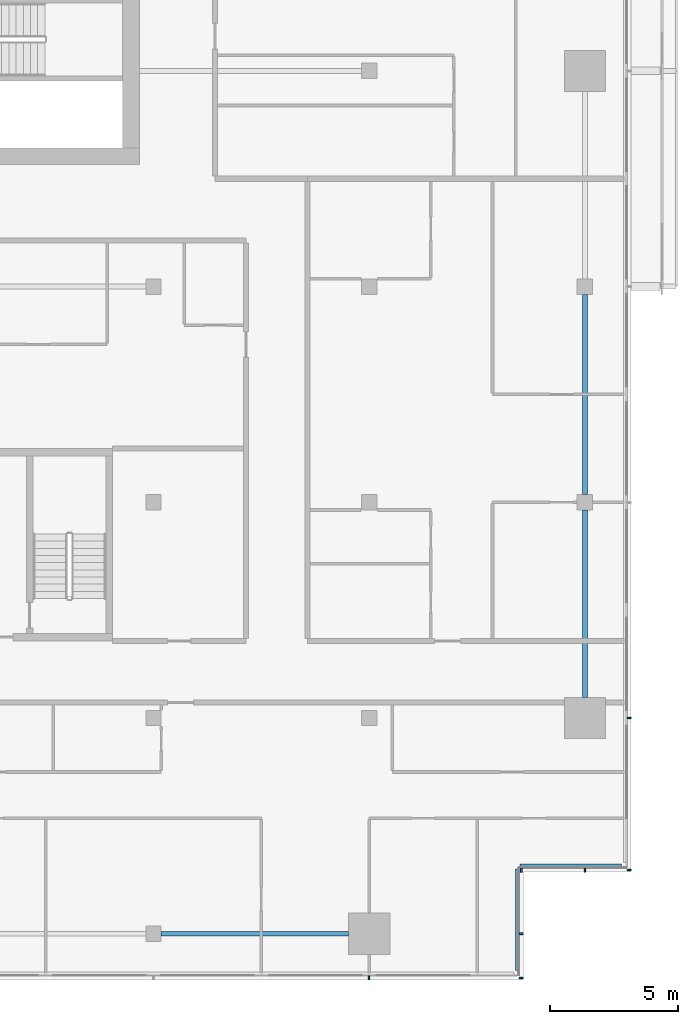
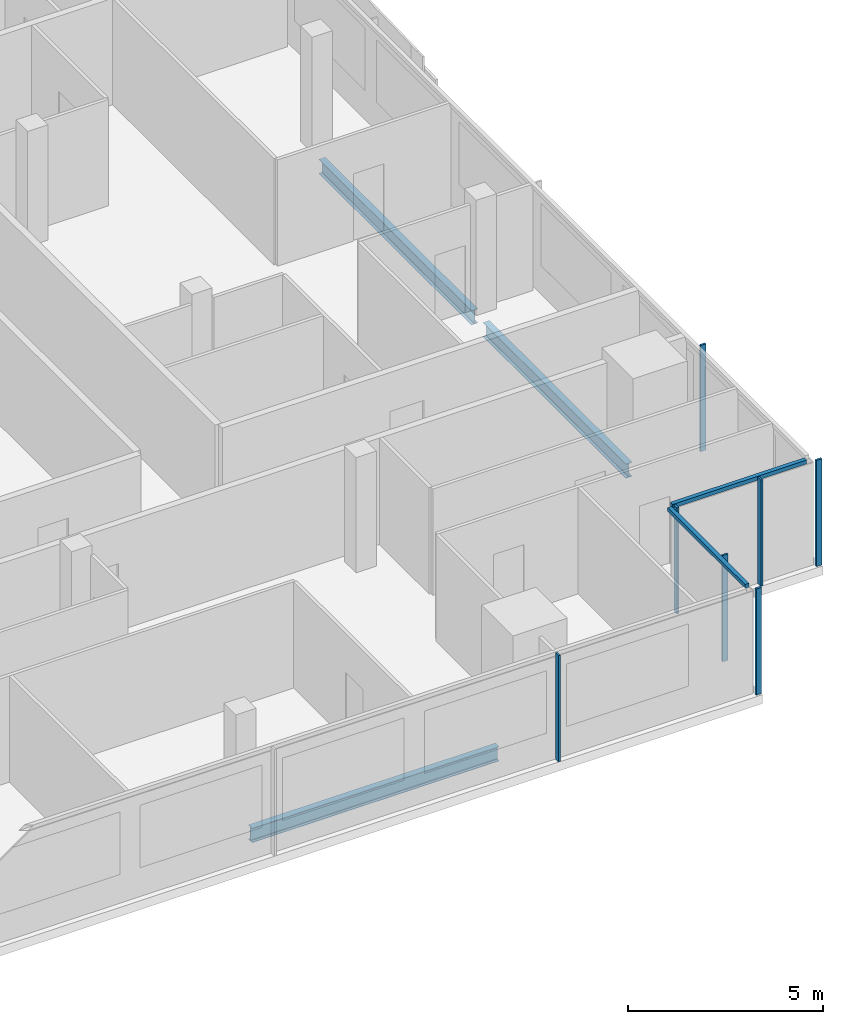
# One storey, part 10 of 30: 9 members, 3 beams, 4 elements without a shape of their own.
"""IFC4 building model written with IfcOpenShell, lengths in metres."""

import ifcopenshell
import ifcopenshell.guid

model = None  # the IFC model being written
_history = None  # IfcOwnerHistory: only IFC2X3 demands one
_inside = {}  # id of a spatial element -> (the spatial element, [elements in it])
_under = {}  # id of a project, library or spatial element -> (it, [spatial elements below it])
_declared = {}  # id of a project -> (the project, [libraries it declares])
_typed = {}  # id of a type object -> (the type object, [elements of that type])
_made_of = {}  # id of a material, layer set ... -> (it, [elements and type objects made of it])


def new_model(schema):
    """Start an empty IFC model of exactly this schema.

    Asked for "IFC4X3", IfcOpenShell would pick the latest addendum, in which some entities
    have other attributes; the version numbers below select the first issue.
    IFC2X3 requires an IfcOwnerHistory on every rooted entity: one is made here for all.
    """
    global model, _history
    if schema == "IFC4X3":
        model = ifcopenshell.file(schema_version=(4, 3, 0, 0))
    else:
        model = ifcopenshell.file(schema=schema)
    _inside.clear()
    _under.clear()
    _declared.clear()
    _typed.clear()
    _made_of.clear()
    _history = None
    if model.schema == "IFC2X3":
        org = make("IfcOrganization", Name="unknown")
        user = make(
            "IfcPersonAndOrganization",
            ThePerson=make("IfcPerson", FamilyName="unknown"),
            TheOrganization=org,
        )
        app = make(
            "IfcApplication",
            ApplicationDeveloper=org,
            Version="unknown",
            ApplicationFullName="unknown",
            ApplicationIdentifier="unknown",
        )
        _history = make(
            "IfcOwnerHistory",
            OwningUser=user,
            OwningApplication=app,
            ChangeAction="ADDED",
            CreationDate=0,
        )
    return model


def make(cls, **values):
    """One entity of the class cls with the attributes given. An attribute that is None is left unset."""
    return model.create_entity(
        cls, **{name: value for name, value in values.items() if value is not None}
    )


def rooted(cls, **values):
    """An entity with a GlobalId (a new one), such as an element, a storey or a relation."""
    return make(cls, GlobalId=ifcopenshell.guid.new(), OwnerHistory=_history, **values)


def si_unit(unit_type, name, prefix=None):
    """IfcSIUnit, for example si_unit("LENGTHUNIT", "METRE", prefix="MILLI")."""
    return make("IfcSIUnit", UnitType=unit_type, Prefix=prefix, Name=name)


def assignment(units):
    """IfcUnitAssignment: the units of a project."""
    return None if units is None else make("IfcUnitAssignment", Units=units)


def point(xyz):
    """IfcCartesianPoint."""
    return None if xyz is None else make("IfcCartesianPoint", Coordinates=xyz)


def direction(xyz):
    """IfcDirection."""
    return None if xyz is None else make("IfcDirection", DirectionRatios=xyz)


def frame(location, z_axis=None, x_axis=None):
    """IfcAxis2Placement3D, a coordinate frame: its origin and axes. An axis left out is left unset."""
    return make(
        "IfcAxis2Placement3D",
        Location=point(location),
        Axis=direction(z_axis),
        RefDirection=direction(x_axis),
    )


def frame_2d(location, x_axis=None):
    """IfcAxis2Placement2D, a coordinate frame in the plane: its origin and x axis."""
    return make(
        "IfcAxis2Placement2D", Location=point(location), RefDirection=direction(x_axis)
    )


def origin():
    """The frame at (0, 0, 0) with its axes left unset."""
    return frame((0.0, 0.0, 0.0))


def origin_2d():
    """The frame at (0, 0) in the plane with its x axis left unset."""
    return frame_2d((0.0, 0.0))


def place(relative_to, where):
    """IfcLocalPlacement: puts the frame where relative to a parent placement (None: the world)."""
    return make(
        "IfcLocalPlacement", PlacementRelTo=relative_to, RelativePlacement=where
    )


def context(
    kind, dimensions, precision=None, world=None, true_north=None, identifier=None
):
    """IfcGeometricRepresentationContext, for example the 3D "Model" context."""
    return make(
        "IfcGeometricRepresentationContext",
        ContextIdentifier=identifier,
        ContextType=kind,
        CoordinateSpaceDimension=dimensions,
        Precision=precision,
        WorldCoordinateSystem=world,
        TrueNorth=true_north,
    )


def subcontext(parent, identifier, kind, view, scale=None):
    """IfcGeometricRepresentationSubContext, for example "Body" below "Model"."""
    return make(
        "IfcGeometricRepresentationSubContext",
        ContextIdentifier=identifier,
        ContextType=kind,
        ParentContext=parent,
        TargetScale=scale,
        TargetView=view,
    )


def project(units=None, contexts=None):
    """IfcProject with its units and contexts."""
    return rooted(
        "IfcProject",
        Name="project",
        RepresentationContexts=contexts,
        UnitsInContext=assignment(units),
    )


def spatial(cls, under=None, at=None, **own):
    """A site, building, storey or space (cls), placed at a placement, below another one or the project."""
    s = rooted(cls, ObjectPlacement=at, **own)
    if under is not None:
        _under.setdefault(under.id(), (under, []))[1].append(s)
    return s


def profile(cls, at=None, kind="AREA", **sizes):
    """A parametric profile (cls). Its sizes go by their IFC names, for example OverallWidth=200.0."""
    return make(cls, ProfileType=kind, Position=at, **sizes)


def rectangle(**sizes):
    """IfcRectangleProfileDef."""
    return profile("IfcRectangleProfileDef", **sizes)


def i_section(**sizes):
    """IfcIShapeProfileDef."""
    return profile("IfcIShapeProfileDef", **sizes)


def extrude(swept, where, along, depth):
    """IfcExtrudedAreaSolid: the profile swept, set in the frame where, extruded along a direction by depth."""
    return make(
        "IfcExtrudedAreaSolid",
        SweptArea=swept,
        Position=where,
        ExtrudedDirection=direction(along),
        Depth=depth,
    )


def shape(context_of_items, identifier, shape_type, items):
    """IfcShapeRepresentation: the items that make up one representation, for example the "Body"."""
    return make(
        "IfcShapeRepresentation",
        ContextOfItems=context_of_items,
        RepresentationIdentifier=identifier,
        RepresentationType=shape_type,
        Items=items,
    )


def material(Name=None, Category=None):
    """IfcMaterial."""
    return make("IfcMaterial", Name=Name, Category=Category)


def material_profile(
    of_material, cross_section, Name=None, Category=None, Priority=None
):
    """IfcMaterialProfile: a cross section and its material."""
    return make(
        "IfcMaterialProfile",
        Name=Name,
        Material=of_material,
        Profile=cross_section,
        Priority=Priority,
        Category=Category,
    )


def profile_set(profiles, Name=None, composite=None):
    """IfcMaterialProfileSet."""
    return make(
        "IfcMaterialProfileSet",
        Name=Name,
        MaterialProfiles=profiles,
        CompositeProfile=composite,
    )


def made_of(thing, what):
    """Note that an element or type object is made of a material, layer set ...; save() writes the relation."""
    if what is not None:
        _made_of.setdefault(what.id(), (what, []))[1].append(thing)
    return thing


def type_object(cls, material=None, **own):
    """A type object (cls), such as IfcWallType, which elements share."""
    return made_of(rooted(cls, **own), material)


def element(
    cls,
    number,
    at=None,
    inside=None,
    cuts=None,
    type_object=None,
    material=None,
    context=None,
    identifier="Body",
    shape_type=None,
    held_by="IfcProductDefinitionShape",
    body=None,
    shapes=None,
    **own,
):
    """One element of the class cls, such as IfcWall. Its Tag is "e" and its number.

    at: its placement. inside: the storey or other place that contains it. cuts: it is an
    opening in that element (IfcRelVoidsElement). A single representation is given by context,
    identifier, shape_type and body (its items); several are given by shapes. held_by: the class
    of the entity that holds the representations. save() writes the other relations.
    """
    e = rooted(cls, Tag="e%d" % number, ObjectPlacement=at, **own)
    if body is not None:
        shapes = [shape(context, identifier, shape_type, body)]
    if shapes is not None:
        e.Representation = make(held_by, Representations=shapes)
    if inside is not None:
        _inside.setdefault(inside.id(), (inside, []))[1].append(e)
    if cuts is not None:
        rooted(
            "IfcRelVoidsElement", RelatingBuildingElement=cuts, RelatedOpeningElement=e
        )
    if type_object is not None:
        _typed.setdefault(type_object.id(), (type_object, []))[1].append(e)
    return made_of(e, material)


def aggregate(whole, parts):
    """IfcRelAggregates: a whole, such as a stair, and the parts it consists of."""
    return rooted("IfcRelAggregates", RelatingObject=whole, RelatedObjects=parts)


def save(model, path):
    """Write the relations noted so far, then the file.

    IfcRelAggregates (storeys below a building ...), IfcRelContainedInSpatialStructure (elements
    in a storey), IfcRelDefinesByType, IfcRelAssociatesMaterial and IfcRelDeclares: one each for
    every whole, place, type object, material and project.
    """
    for whole, parts in _under.values():
        aggregate(whole, parts)
    for where, things in _inside.values():
        rooted(
            "IfcRelContainedInSpatialStructure",
            RelatedElements=things,
            RelatingStructure=where,
        )
    for kind, things in _typed.values():
        rooted("IfcRelDefinesByType", RelatedObjects=things, RelatingType=kind)
    for what, things in _made_of.values():
        rooted("IfcRelAssociatesMaterial", RelatedObjects=things, RelatingMaterial=what)
    for by, libraries in _declared.values():
        rooted("IfcRelDeclares", RelatingContext=by, RelatedDefinitions=libraries)
    model.write(path)


model = new_model("IFC4")

# Units and contexts
model_context = context("Model", 3, precision=1e-05, world=origin(), true_north=direction((0.0, 1.0)))
body_context = subcontext(model_context, "Body", "Model", "MODEL_VIEW")
ifc_project = project(units=[si_unit("LENGTHUNIT", "METRE"), si_unit("AREAUNIT", "SQUARE_METRE"), si_unit("VOLUMEUNIT", "CUBIC_METRE"), si_unit("PLANEANGLEUNIT", "RADIAN"), si_unit("MASSUNIT", "GRAM", prefix="KILO")], contexts=[model_context])

# Site, building, storey
site_placement = place(None, origin())
site = spatial("IfcSite", under=ifc_project, at=site_placement, CompositionType="ELEMENT")
building_placement = place(site_placement, origin())
building = spatial("IfcBuilding", under=site, at=building_placement, Name="Saffron Gate Tower", CompositionType="ELEMENT")
storey_placement = place(building_placement, frame((0.0, 0.0, 245.10009765625)))
storey = spatial("IfcBuildingStorey", under=building, at=storey_placement, Name="L60", CompositionType="ELEMENT", Elevation=245.10009765625)

# Beams
ifc_material_1 = material(Name="Structural steel S355", Category="steel")
ifc_material_profile_1 = material_profile(ifc_material_1, i_section(OverallWidth=0.18994140625, OverallDepth=0.449951171875, WebThickness=0.009521484375, FlangeThickness=0.0146484375, FilletRadius=0.02099609375, at=origin_2d()))
ifc_profile_set_1 = profile_set([ifc_material_profile_1], Name="Structural steel S355")
beam_type = type_object("IfcBeamType", Name="B7 IPE 450", PredefinedType="SPANDREL", material=ifc_profile_set_1)
for number, where, z_axis, x_axis, name in (
    (1, (108.89990234375, 31.800048828125, -0.505126953125), (1.0, 0.0, 0.0), (0.0, 1.0, 0.0), "B7 SPANDREL BEAM"),
    (2, (125.39990234375, 41.0, -0.505126953125), (0.0, 1.0, 0.0), (-1.0, 0.0, 0.0), "B7 SPANDREL BEAM"),
):
    element("IfcBeam", number, at=place(storey_placement, frame(where, z_axis=z_axis, x_axis=x_axis)), inside=storey, type_object=beam_type, Name=name, PredefinedType="SPANDREL", context=body_context, shape_type="SweptSolid", body=[
        extrude(i_section(OverallWidth=0.18994140625, OverallDepth=0.449951171875, WebThickness=0.009521484375, FlangeThickness=0.0146484375, FilletRadius=0.02099609375, at=origin_2d()), origin(), (0.0, 0.0, 1.0), 7.300048828125),
    ])
beam_placement = place(storey_placement, frame((125.39990234375, 48.89990234375, -0.505126953125), z_axis=(0.0, 1.0, 0.0), x_axis=(-1.0, 0.0, 0.0)))
element("IfcBeam", 3, at=beam_placement, inside=storey, type_object=beam_type, Name="B7 SPANDREL BEAM", PredefinedType="SPANDREL", context=body_context, shape_type="SweptSolid", body=[
    extrude(i_section(OverallWidth=0.18994140625, OverallDepth=0.449951171875, WebThickness=0.009521484375, FlangeThickness=0.0146484375, FilletRadius=0.02099609375, at=origin_2d()), origin(), (0.0, 0.0, 1.0), 7.800048828125),
])

# Curtain wall, member
ifc_material_2 = material(Name="Aluminium, bronze anodised", Category="aluminium")
curtain_wall_type_1 = type_object("IfcCurtainWallType", Name="CWS1 curtain wall front facade", PredefinedType="NOTDEFINED", material=ifc_material_2)
curtain_wall_1_placement = place(storey_placement, origin())
curtain_wall_1 = element("IfcCurtainWall", 4, at=curtain_wall_1_placement, inside=storey, type_object=curtain_wall_type_1, Name="CWS1 run 1", PredefinedType="NOTDEFINED")
ifc_material_profile_2 = material_profile(ifc_material_2, rectangle(XDim=0.159912109375, YDim=0.06005859375, at=origin_2d()))
ifc_profile_set_2 = profile_set([ifc_material_profile_2], Name="Aluminium, bronze anodised")
member_type_1 = type_object("IfcMemberType", Name="CWS1 mullion 60x160", PredefinedType="MULLION", material=ifc_profile_set_2)
member_1_placement = place(storey_placement, frame((117.0, 30.080078125, 0.0), z_axis=(0.0, 0.0, 1.0), x_axis=(0.0, 1.0, 0.0)))
member_1 = element("IfcMember", 5, at=member_1_placement, type_object=member_type_1, Name="CWS1 mullion 9", PredefinedType="MULLION", context=body_context, shape_type="SweptSolid", body=[
    extrude(rectangle(XDim=0.159912109375, YDim=0.06005859375, at=origin_2d()), origin(), (0.0, 0.0, 1.0), 3.31982421875),
])
aggregate(curtain_wall_1, [member_1])

# Curtain wall, members
curtain_wall_type_2 = type_object("IfcCurtainWallType", Name="CWS2 curtain wall side facades", PredefinedType="NOTDEFINED", material=ifc_material_2)
curtain_wall_2_placement = place(storey_placement, origin())
curtain_wall_2 = element("IfcCurtainWall", 6, at=curtain_wall_2_placement, inside=storey, type_object=curtain_wall_type_2, Name="CWS2 run 4", PredefinedType="NOTDEFINED")
ifc_material_profile_3 = material_profile(ifc_material_2, rectangle(XDim=0.159912109375, YDim=0.06005859375, at=origin_2d()))
ifc_profile_set_3 = profile_set([ifc_material_profile_3], Name="Aluminium, bronze anodised")
member_type_2 = type_object("IfcMemberType", Name="CWS2 mullion 60x160", PredefinedType="MULLION", material=ifc_profile_set_3)
member_2_placement = place(storey_placement, frame((127.1201171875, 34.280029296875, 0.0), z_axis=(0.0, 0.0, 1.0), x_axis=(-1.0, 0.0, 0.0)))
member_2 = element("IfcMember", 7, at=member_2_placement, type_object=member_type_2, Name="CWS2 mullion 1", PredefinedType="MULLION", context=body_context, shape_type="SweptSolid", body=[
    extrude(rectangle(XDim=0.159912109375, YDim=0.06005859375, at=origin_2d()), origin(), (0.0, 0.0, 1.0), 3.31982421875),
])
member_3_placement = place(storey_placement, frame((127.1201171875, 40.199951171875, 0.0), z_axis=(0.0, 0.0, 1.0), x_axis=(-1.0, 0.0, 0.0)))
member_3 = element("IfcMember", 8, at=member_3_placement, type_object=member_type_2, Name="CWS2 mullion 2", PredefinedType="MULLION", context=body_context, shape_type="SweptSolid", body=[
    extrude(rectangle(XDim=0.159912109375, YDim=0.06005859375, at=origin_2d()), origin(), (0.0, 0.0, 1.0), 3.31982421875),
])
aggregate(curtain_wall_2, [member_2, member_3])

# Curtain wall, member
curtain_wall_type_3 = type_object("IfcCurtainWallType", Name="CWS4 curtain wall corner returns", PredefinedType="NOTDEFINED", material=ifc_material_2)
curtain_wall_3_placement = place(storey_placement, origin())
curtain_wall_3 = element("IfcCurtainWall", 9, at=curtain_wall_3_placement, inside=storey, type_object=curtain_wall_type_3, Name="CWS4 run 2", PredefinedType="NOTDEFINED")
ifc_material_profile_4 = material_profile(ifc_material_2, rectangle(XDim=0.1201171875, YDim=0.1201171875, at=origin_2d()))
ifc_profile_set_4 = profile_set([ifc_material_profile_4], Name="Aluminium, bronze anodised")
member_type_3 = type_object("IfcMemberType", Name="CWS4 head transom", PredefinedType="USERDEFINED", material=ifc_profile_set_4)
member_4_placement = place(storey_placement, frame((122.751953125, 30.367919921875, 3.260009765625), z_axis=(0.0, 1.0, 0.0), x_axis=(-1.0, 0.0, 0.0)))
member_4 = element("IfcMember", 10, at=member_4_placement, type_object=member_type_3, Name="CWS4 head transom", ObjectType="TRANSOM", PredefinedType="USERDEFINED", context=body_context, shape_type="SweptSolid", body=[
    extrude(rectangle(XDim=0.1201171875, YDim=0.1201171875, at=origin_2d()), origin(), (0.0, 0.0, 1.0), 3.9599609375),
])

curtain_wall_4_placement = place(storey_placement, origin())
curtain_wall_4 = element("IfcCurtainWall", 11, at=curtain_wall_4_placement, inside=storey, type_object=curtain_wall_type_3, Name="CWS4 run 3", PredefinedType="NOTDEFINED")
member_5_placement = place(storey_placement, frame((122.8720703125, 34.447998046875, 3.260009765625), z_axis=(1.0, 0.0, 0.0), x_axis=(0.0, 1.0, 0.0)))
member_5 = element("IfcMember", 12, at=member_5_placement, type_object=member_type_3, Name="CWS4 head transom", ObjectType="TRANSOM", PredefinedType="USERDEFINED", context=body_context, shape_type="SweptSolid", body=[
    extrude(rectangle(XDim=0.1201171875, YDim=0.1201171875, at=origin_2d()), origin(), (0.0, 0.0, 1.0), 3.9599609375),
])

# Member
ifc_material_profile_5 = material_profile(ifc_material_2, rectangle(XDim=0.159912109375, YDim=0.06005859375, at=origin_2d()))
ifc_profile_set_5 = profile_set([ifc_material_profile_5], Name="Aluminium, bronze anodised")
member_type_4 = type_object("IfcMemberType", Name="CWS4 mullion 60x160", PredefinedType="MULLION", material=ifc_profile_set_5)
member_6_placement = place(storey_placement, frame((122.919921875, 30.080078125, 0.0), z_axis=(0.0, 0.0, 1.0), x_axis=(-1.0, 0.0, 0.0)))
member_6 = element("IfcMember", 13, at=member_6_placement, type_object=member_type_4, Name="CWS4 mullion 1", PredefinedType="MULLION", context=body_context, shape_type="SweptSolid", body=[
    extrude(rectangle(XDim=0.159912109375, YDim=0.06005859375, at=origin_2d()), origin(), (0.0, 0.0, 1.0), 3.31982421875),
])

member_7_placement = place(storey_placement, frame((122.919921875, 31.800048828125, 0.0), z_axis=(0.0, 0.0, 1.0), x_axis=(-1.0, 0.0, 0.0)))
member_7 = element("IfcMember", 14, at=member_7_placement, type_object=member_type_4, Name="CWS4 mullion 2", PredefinedType="MULLION", context=body_context, shape_type="SweptSolid", body=[
    extrude(rectangle(XDim=0.159912109375, YDim=0.06005859375, at=origin_2d()), origin(), (0.0, 0.0, 1.0), 3.31982421875),
])

aggregate(curtain_wall_3, [member_6, member_7, member_4])

member_8_placement = place(storey_placement, frame((122.919921875, 34.280029296875, 0.0), z_axis=(0.0, 0.0, 1.0), x_axis=(0.0, 1.0, 0.0)))
member_8 = element("IfcMember", 15, at=member_8_placement, type_object=member_type_4, Name="CWS4 mullion 1", PredefinedType="MULLION", context=body_context, shape_type="SweptSolid", body=[
    extrude(rectangle(XDim=0.159912109375, YDim=0.06005859375, at=origin_2d()), origin(), (0.0, 0.0, 1.0), 3.31982421875),
])

member_9_placement = place(storey_placement, frame((125.39990234375, 34.280029296875, 0.0), z_axis=(0.0, 0.0, 1.0), x_axis=(0.0, 1.0, 0.0)))
member_9 = element("IfcMember", 16, at=member_9_placement, type_object=member_type_4, Name="CWS4 mullion 2", PredefinedType="MULLION", context=body_context, shape_type="SweptSolid", body=[
    extrude(rectangle(XDim=0.159912109375, YDim=0.06005859375, at=origin_2d()), origin(), (0.0, 0.0, 1.0), 3.31982421875),
])

aggregate(curtain_wall_4, [member_8, member_9, member_5])

save(model, "model.ifc")
